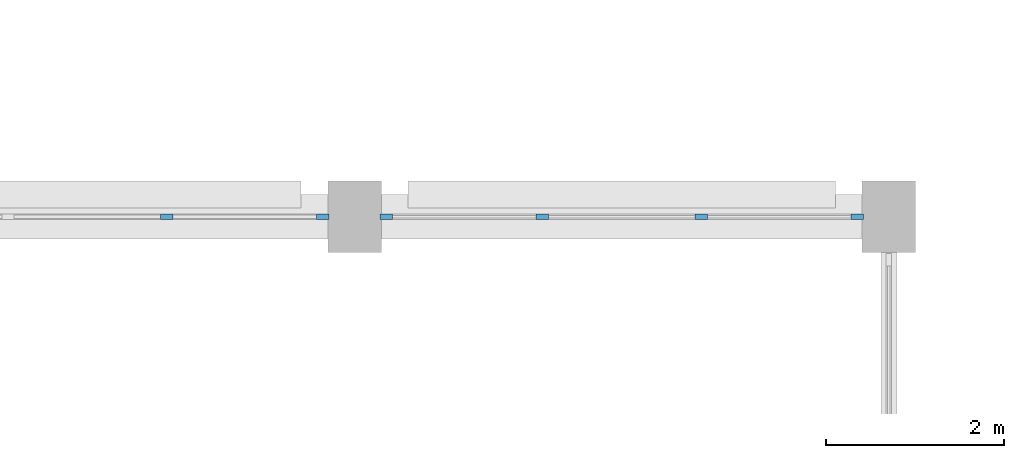
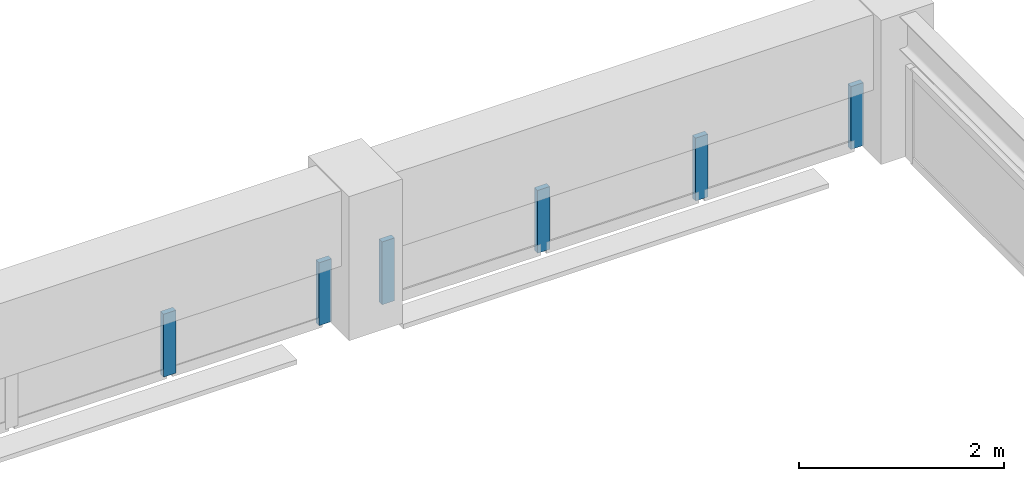
# One storey, part 72 of 137: 6 members, 2 elements without a shape of their own.
"""IFC4 building model written with IfcOpenShell, lengths in metres."""

from ifc_helpers import new_model, si_unit, direction, frame, origin, origin_2d, place, context, subcontext, project, spatial, rectangle, extrude, material, layer, layer_set, material_profile, profile_set, type_object, element, aggregate, save


model = new_model("IFC4")

# Units and contexts
model_context = context("Model", 3, precision=1e-05, world=origin(), true_north=direction((0.0, 1.0)))
body_context = subcontext(model_context, "Body", "Model", "MODEL_VIEW")
ifc_project = project(units=[si_unit("LENGTHUNIT", "METRE"), si_unit("AREAUNIT", "SQUARE_METRE"), si_unit("VOLUMEUNIT", "CUBIC_METRE"), si_unit("PLANEANGLEUNIT", "RADIAN"), si_unit("MASSUNIT", "GRAM", prefix="KILO"), si_unit("POWERUNIT", "WATT"), si_unit("THERMODYNAMICTEMPERATUREUNIT", "KELVIN")], contexts=[model_context])

# Site, building, storey
site_placement = place(None, origin())
site = spatial("IfcSite", under=ifc_project, at=site_placement, CompositionType="ELEMENT")
building_placement = place(site_placement, origin())
building = spatial("IfcBuilding", under=site, at=building_placement, Name="Ruvembo Vaulted Housing Court", CompositionType="ELEMENT")
storey_placement = place(building_placement, frame((0.0, 0.0, 4.5)))
storey = spatial("IfcBuildingStorey", under=building, at=storey_placement, Name="L01", CompositionType="ELEMENT", Elevation=4.5)

# Curtain wall, members
ifc_material_1 = material(Name="Anodised Aluminium and Solar-Control Glass", Category="aluminium")
ifc_layer = layer(ifc_material_1, 0.139892578125, Name="Anodised Aluminium and Solar-Control Glass")
ifc_layer_set = layer_set([ifc_layer], Name="Anodised Aluminium and Solar-Control Glass")
curtain_wall_type = type_object("IfcCurtainWallType", Name="CW-HALL-CLER", PredefinedType="NOTDEFINED", material=ifc_layer_set)
curtain_wall_1_placement = place(storey_placement, origin())
curtain_wall_1 = element("IfcCurtainWall", 1, at=curtain_wall_1_placement, inside=storey, type_object=curtain_wall_type, Name="L01 Curtain Wall CW-L01-0108", PredefinedType="NOTDEFINED")
ifc_material_2 = material(Name="Anodised Aluminium 6063-T6", Category="aluminium")
ifc_material_profile = material_profile(ifc_material_2, rectangle(XDim=0.06005859375, YDim=0.139892578125, at=origin_2d()), Name="ALU 60x140")
ifc_profile_set = profile_set([ifc_material_profile], Name="Anodised Aluminium 6063-T6")
member_type = type_object("IfcMemberType", Name="CW-MUL-60x140", PredefinedType="MULLION", material=ifc_profile_set)
member_1_placement = place(storey_placement, frame((99.8916015625, 68.0, 0.0), z_axis=(0.0, 0.0, 1.0), x_axis=(0.0, 1.0, 0.0)))
member_1 = element("IfcMember", 2, at=member_1_placement, type_object=member_type, Name="CW7 mullion 3", PredefinedType="MULLION", context=body_context, shape_type="SweptSolid", body=[
    extrude(rectangle(XDim=0.06005859375, YDim=0.139892578125, at=origin_2d()), origin(), (0.0, 0.0, 1.0), 0.75),
])
member_2_placement = place(storey_placement, frame((101.64501953125, 68.0, 0.0), z_axis=(0.0, 0.0, 1.0), x_axis=(0.0, 1.0, 0.0)))
member_2 = element("IfcMember", 3, at=member_2_placement, type_object=member_type, Name="CW7 mullion 4", PredefinedType="MULLION", context=body_context, shape_type="SweptSolid", body=[
    extrude(rectangle(XDim=0.06005859375, YDim=0.139892578125, at=origin_2d()), origin(), (0.0, 0.0, 1.0), 0.75),
])
aggregate(curtain_wall_1, [member_1, member_2])

curtain_wall_2_placement = place(storey_placement, origin())
curtain_wall_2 = element("IfcCurtainWall", 4, at=curtain_wall_2_placement, inside=storey, type_object=curtain_wall_type, Name="L01 Curtain Wall CW-L01-0112", PredefinedType="NOTDEFINED")
member_3_placement = place(storey_placement, frame((102.35498046875, 68.0, 0.0), z_axis=(0.0, 0.0, 1.0), x_axis=(0.0, 1.0, 0.0)))
member_3 = element("IfcMember", 5, at=member_3_placement, type_object=member_type, Name="CW7 mullion 1", PredefinedType="MULLION", context=body_context, shape_type="SweptSolid", body=[
    extrude(rectangle(XDim=0.06005859375, YDim=0.139892578125, at=origin_2d()), origin(), (0.0, 0.0, 1.0), 0.75),
])
member_4_placement = place(storey_placement, frame((104.1083984375, 68.0, 0.0), z_axis=(0.0, 0.0, 1.0), x_axis=(0.0, 1.0, 0.0)))
member_4 = element("IfcMember", 6, at=member_4_placement, type_object=member_type, Name="CW7 mullion 2", PredefinedType="MULLION", context=body_context, shape_type="SweptSolid", body=[
    extrude(rectangle(XDim=0.06005859375, YDim=0.139892578125, at=origin_2d()), origin(), (0.0, 0.0, 1.0), 0.75),
])
member_5_placement = place(storey_placement, frame((105.8916015625, 68.0, 0.0), z_axis=(0.0, 0.0, 1.0), x_axis=(0.0, 1.0, 0.0)))
member_5 = element("IfcMember", 7, at=member_5_placement, type_object=member_type, Name="CW7 mullion 3", PredefinedType="MULLION", context=body_context, shape_type="SweptSolid", body=[
    extrude(rectangle(XDim=0.06005859375, YDim=0.139892578125, at=origin_2d()), origin(), (0.0, 0.0, 1.0), 0.75),
])
member_6_placement = place(storey_placement, frame((107.64501953125, 68.0, 0.0), z_axis=(0.0, 0.0, 1.0), x_axis=(0.0, 1.0, 0.0)))
member_6 = element("IfcMember", 8, at=member_6_placement, type_object=member_type, Name="CW7 mullion 4", PredefinedType="MULLION", context=body_context, shape_type="SweptSolid", body=[
    extrude(rectangle(XDim=0.06005859375, YDim=0.139892578125, at=origin_2d()), origin(), (0.0, 0.0, 1.0), 0.75),
])
aggregate(curtain_wall_2, [member_3, member_4, member_5, member_6])

save(model, "model.ifc")
